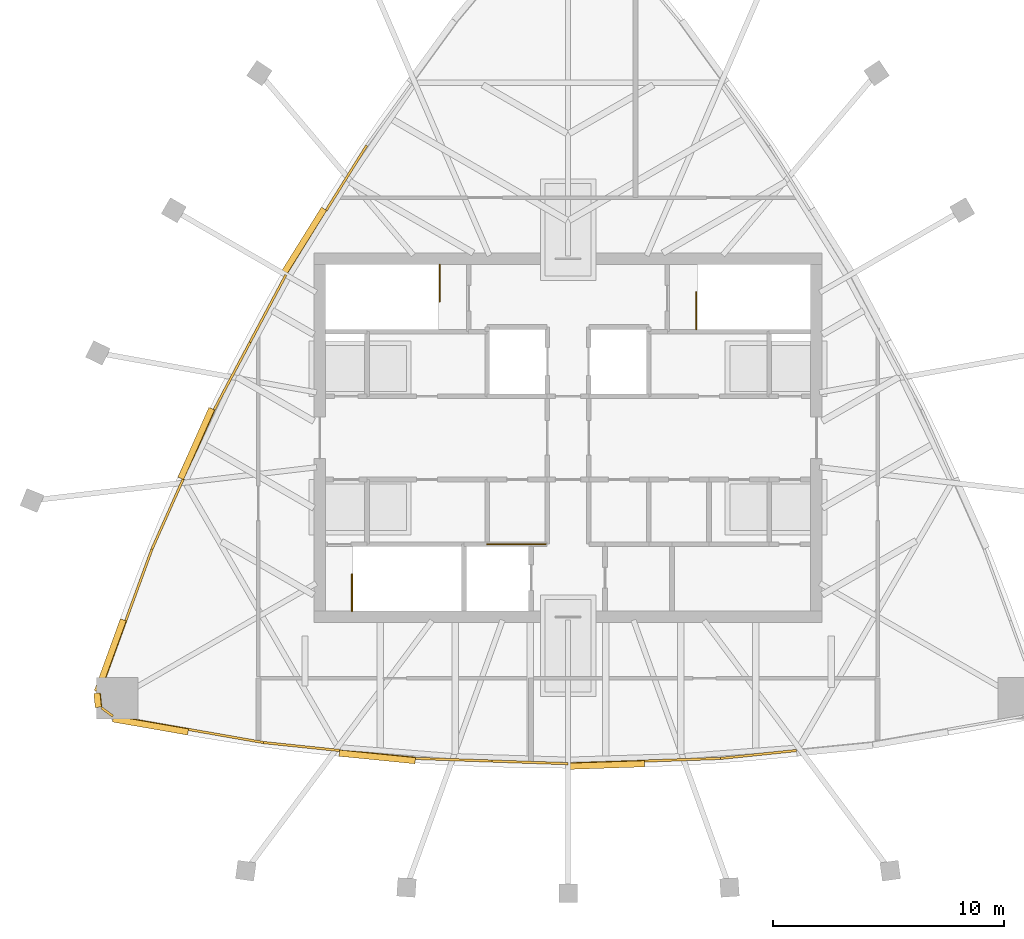
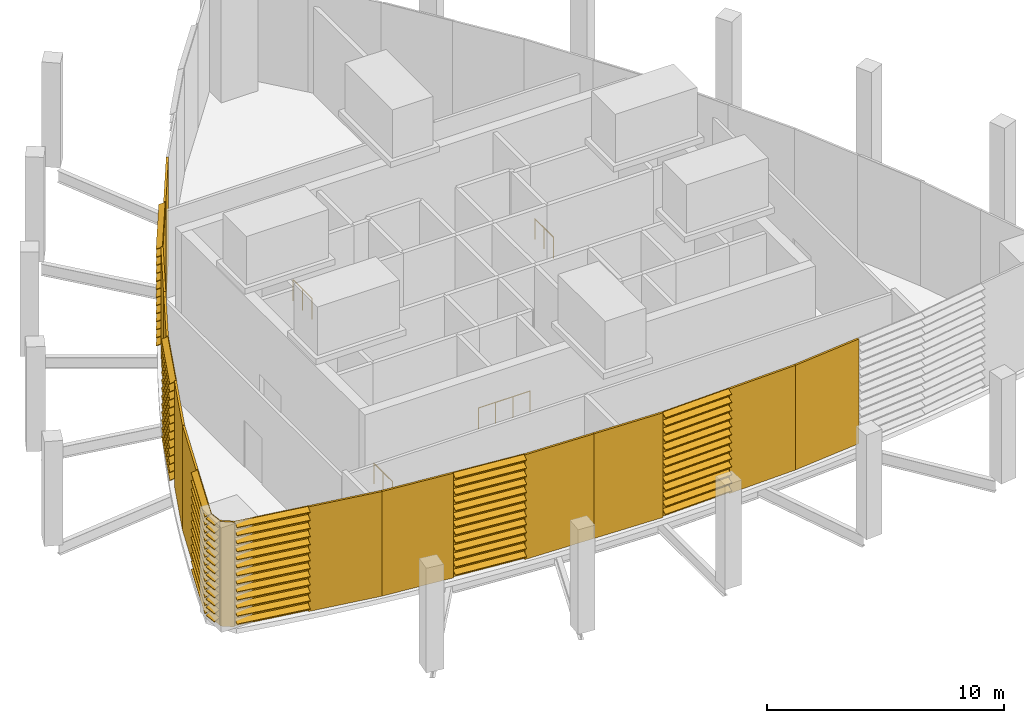
# One storey, part 5 of 8: 12 coverings, 7 shading devices, 4 railings.
"""IFC4 building model written with IfcOpenShell, lengths in metres."""

from ifc_helpers import new_model, si_unit, direction, frame, origin, origin_2d, place, context, subcontext, project, spatial, polyline, circle, outline, extrude, material, layer, layer_set, type_object, element, save


model = new_model("IFC4")

# Units and contexts
model_context = context("Model", 3, precision=1e-05, world=origin(), true_north=direction((0.0, 1.0)))
body_context = subcontext(model_context, "Body", "Model", "MODEL_VIEW")
ifc_project = project(units=[si_unit("LENGTHUNIT", "METRE"), si_unit("AREAUNIT", "SQUARE_METRE"), si_unit("VOLUMEUNIT", "CUBIC_METRE"), si_unit("PLANEANGLEUNIT", "RADIAN"), si_unit("MASSUNIT", "GRAM", prefix="KILO")], contexts=[model_context])

# Site, building, storey
site_placement = place(None, origin())
site = spatial("IfcSite", under=ifc_project, at=site_placement, CompositionType="ELEMENT")
building_placement = place(site_placement, origin())
building = spatial("IfcBuilding", under=site, at=building_placement, Name="Sierra Prisma Convention Tower", CompositionType="ELEMENT")
storey_placement = place(building_placement, frame((0.0, 0.0, 355.60009765625)))
storey = spatial("IfcBuildingStorey", under=building, at=storey_placement, Name="L79", CompositionType="ELEMENT", Elevation=355.60009765625)

# Coverings
ifc_material_1 = material(Name="Aluminium composite bronze anodised", Category="aluminium")
ifc_layer = layer(ifc_material_1, 0.10009765625)
ifc_layer_set = layer_set([ifc_layer], Name="Bronze cladding panel")
covering_type = type_object("IfcCoveringType", Name="Bronze cladding panel", PredefinedType="CLADDING", material=ifc_layer_set)
covering_1_placement = place(storey_placement, origin())
element("IfcCovering", 1, at=covering_1_placement, inside=storey, type_object=covering_type, Name="Crown cladding L79.2", PredefinedType="CLADDING", context=body_context, shape_type="SweptSolid", body=[
    extrude(outline(polyline([(-16.41650390625, -12.568603515625), (-13.164794921875, -13.13720703125), (-13.18212890625, -13.235595703125), (-16.433837890625, -12.667236328125), (-16.41650390625, -12.568603515625)])), origin(), (0.0, 0.0, 1.0), 5.39990234375),
])
covering_2_placement = place(storey_placement, origin())
element("IfcCovering", 2, at=covering_2_placement, inside=storey, type_object=covering_type, Name="Crown cladding L79.3", PredefinedType="CLADDING", context=body_context, shape_type="SweptSolid", body=[
    extrude(outline(polyline([(-13.164794921875, -13.13720703125), (-9.881591796875, -13.479248046875), (-9.891845703125, -13.578857421875), (-13.17529296875, -13.236572265625), (-13.164794921875, -13.13720703125)])), origin(), (0.0, 0.0, 1.0), 5.39990234375),
])
covering_3_placement = place(storey_placement, origin())
element("IfcCovering", 3, at=covering_3_placement, inside=storey, type_object=covering_type, Name="Crown cladding L79.5", PredefinedType="CLADDING", context=body_context, shape_type="SweptSolid", body=[
    extrude(outline(polyline([(-6.59814453125, -13.821533203125), (-3.299072265625, -13.935791015625), (-3.302490234375, -14.03564453125), (-6.601806640625, -13.92138671875), (-6.59814453125, -13.821533203125)])), origin(), (0.0, 0.0, 1.0), 5.39990234375),
])
covering_4_placement = place(storey_placement, origin())
element("IfcCovering", 4, at=covering_4_placement, inside=storey, type_object=covering_type, Name="Crown cladding L79.6", PredefinedType="CLADDING", context=body_context, shape_type="SweptSolid", body=[
    extrude(outline(polyline([(-3.299072265625, -13.935791015625), (0.0, -14.050048828125), (-0.00341796875, -14.14990234375), (-3.302490234375, -14.03564453125), (-3.299072265625, -13.935791015625)])), origin(), (0.0, 0.0, 1.0), 5.39990234375),
])
covering_5_placement = place(storey_placement, origin())
element("IfcCovering", 5, at=covering_5_placement, inside=storey, type_object=covering_type, Name="Crown cladding L79.8", PredefinedType="CLADDING", context=body_context, shape_type="SweptSolid", body=[
    extrude(outline(polyline([(3.299072265625, -13.935791015625), (6.59814453125, -13.821533203125), (6.601806640625, -13.92138671875), (3.302490234375, -14.03564453125), (3.299072265625, -13.935791015625)])), origin(), (0.0, 0.0, 1.0), 5.39990234375),
])
covering_6_placement = place(storey_placement, origin())
element("IfcCovering", 6, at=covering_6_placement, inside=storey, type_object=covering_type, Name="Crown cladding L79.9", PredefinedType="CLADDING", context=body_context, shape_type="SweptSolid", body=[
    extrude(outline(polyline([(6.59814453125, -13.821533203125), (9.881591796875, -13.479248046875), (9.891845703125, -13.578857421875), (6.608642578125, -13.9208984375), (6.59814453125, -13.821533203125)])), origin(), (0.0, 0.0, 1.0), 5.39990234375),
])
covering_7_placement = place(storey_placement, origin())
element("IfcCovering", 7, at=covering_7_placement, inside=storey, type_object=covering_type, Name="Crown cladding L79.33", PredefinedType="CLADDING", context=body_context, shape_type="SweptSolid", body=[
    extrude(outline(polyline([(-8.670654296875, 12.625), (-10.419189453125, 9.824951171875), (-10.50390625, 9.8779296875), (-8.75537109375, 12.677978515625), (-8.670654296875, 12.625)])), origin(), (0.0, 0.0, 1.0), 5.39990234375),
])
covering_8_placement = place(storey_placement, origin())
element("IfcCovering", 8, at=covering_8_placement, inside=storey, type_object=covering_type, Name="Crown cladding L79.35", PredefinedType="CLADDING", context=body_context, shape_type="SweptSolid", body=[
    extrude(outline(polyline([(-12.167724609375, 7.02490234375), (-13.71826171875, 4.11083984375), (-13.806640625, 4.15771484375), (-12.255859375, 7.072021484375), (-12.167724609375, 7.02490234375)])), origin(), (0.0, 0.0, 1.0), 5.39990234375),
])
covering_9_placement = place(storey_placement, origin())
element("IfcCovering", 9, at=covering_9_placement, inside=storey, type_object=covering_type, Name="Crown cladding L79.36", PredefinedType="CLADDING", context=body_context, shape_type="SweptSolid", body=[
    extrude(outline(polyline([(-13.71826171875, 4.11083984375), (-15.268798828125, 1.196533203125), (-15.357177734375, 1.243408203125), (-13.806640625, 4.15771484375), (-13.71826171875, 4.11083984375)])), origin(), (0.0, 0.0, 1.0), 5.39990234375),
])
covering_10_placement = place(storey_placement, origin())
element("IfcCovering", 10, at=covering_10_placement, inside=storey, type_object=covering_type, Name="Crown cladding L79.38", PredefinedType="CLADDING", context=body_context, shape_type="SweptSolid", body=[
    extrude(outline(polyline([(-16.6142578125, -1.818115234375), (-17.95947265625, -4.83251953125), (-18.05078125, -4.791748046875), (-16.70556640625, -1.77734375), (-16.6142578125, -1.818115234375)])), origin(), (0.0, 0.0, 1.0), 5.39990234375),
])
covering_11_placement = place(storey_placement, origin())
element("IfcCovering", 11, at=covering_11_placement, inside=storey, type_object=covering_type, Name="Crown cladding L79.39", PredefinedType="CLADDING", context=body_context, shape_type="SweptSolid", body=[
    extrude(outline(polyline([(-17.95947265625, -4.83251953125), (-19.093017578125, -7.932861328125), (-19.18701171875, -7.8984375), (-18.053466796875, -4.798095703125), (-17.95947265625, -4.83251953125)])), origin(), (0.0, 0.0, 1.0), 5.39990234375),
])
covering_12_placement = place(storey_placement, origin())
element("IfcCovering", 12, at=covering_12_placement, inside=storey, type_object=covering_type, Name="Crown cladding L79.42", PredefinedType="CLADDING", context=body_context, shape_type="SweptSolid", body=[
    extrude(outline(polyline([(-20.163330078125, -11.641357421875), (-19.66845703125, -12.000244140625), (-19.72705078125, -12.0810546875), (-20.221923828125, -11.72216796875), (-20.163330078125, -11.641357421875)])), origin(), (0.0, 0.0, 1.0), 5.39990234375),
])

# Railing
ifc_material_2 = material(Name="Bronze anodised aluminium", Category="aluminium")
railing_type_1 = type_object("IfcRailingType", Name="Facade guard 1100", PredefinedType="GUARDRAIL", material=ifc_material_2)
railing_1_placement = place(storey_placement, frame((-3.5, -4.60009765625, 0.0)))
element("IfcRailing", 13, at=railing_1_placement, inside=storey, type_object=railing_type_1, Name="Lift opening guard", PredefinedType="GUARDRAIL", context=body_context, shape_type="SweptSolid", body=[
    extrude(circle(Radius=0.02392578125, at=origin_2d()), frame((0.0, 0.0, 1.076171875), z_axis=(1.0, 0.0, 0.0), x_axis=(0.0, 1.0, 0.0)), (0.0, 0.0, 1.0), 2.530029296875),
    extrude(circle(Radius=0.02099609375, at=origin_2d()), origin(), (0.0, 0.0, 1.0), 1.052001953125),
    extrude(circle(Radius=0.02099609375, at=origin_2d()), frame((0.84326171875, 0.0, 0.0)), (0.0, 0.0, 1.0), 1.052001953125),
    extrude(circle(Radius=0.02099609375, at=origin_2d()), frame((1.686767578125, 0.0, 0.0)), (0.0, 0.0, 1.0), 1.052001953125),
    extrude(circle(Radius=0.02099609375, at=origin_2d()), frame((2.530029296875, 0.0, 0.0)), (0.0, 0.0, 1.0), 1.052001953125),
])

# Shading devices
ifc_material_3 = material(Name="Aluminium 6063-T6 bronze anodised", Category="aluminium")
shading_device_type = type_object("IfcShadingDeviceType", Name="Louvre bay bronze", PredefinedType="USERDEFINED", material=ifc_material_3)
shading_device_1_placement = place(storey_placement, frame((-19.66845703125, -12.000244140625, 0.0), z_axis=(-0.985211350367, 0.17134350034, 0.0), x_axis=(0.0, 0.0, 1.0)))
element("IfcShadingDevice", 14, at=shading_device_1_placement, inside=storey, type_object=shading_device_type, Name="Crown louvre L79.1", ObjectType="LOUVRE", PredefinedType="USERDEFINED", context=body_context, shape_type="SweptSolid", body=[
    extrude(outline(polyline([(0.0, 0.0), (5.39990234375, 0.0), (5.39990234375, -0.029982613989624537), (5.3798828125, -0.029982613989624537), (5.260009765625, -0.29986797180550806), (5.22998046875, -0.29986797180550806), (5.349853515625, -0.029982613989624537), (4.984619140625, -0.029982613989624537), (4.964599609375, -0.029982613989624537), (4.844482421875, -0.29986797180550806), (4.814453125, -0.29986797180550806), (4.9345703125, -0.029982613989624537), (4.569091796875, -0.029982613989624537), (4.549072265625, -0.029982613989624537), (4.42919921875, -0.29986797180550806), (4.399169921875, -0.29986797180550806), (4.51904296875, -0.029982613989624537), (4.15380859375, -0.029982613989624537), (4.1337890625, -0.029982613989624537), (4.013671875, -0.29986797180550806), (3.983642578125, -0.29986797180550806), (4.103759765625, -0.029982613989624537), (3.73828125, -0.029982613989624537), (3.71826171875, -0.029982613989624537), (3.598388671875, -0.29986797180550806), (3.568359375, -0.29986797180550806), (3.6884765625, -0.029982613989624537), (3.322998046875, -0.029982613989624537), (3.302978515625, -0.029982613989624537), (3.182861328125, -0.29986797180550806), (3.153076171875, -0.29986797180550806), (3.27294921875, -0.029982613989624537), (2.90771484375, -0.029982613989624537), (2.8876953125, -0.029982613989624537), (2.767578125, -0.29986797180550806), (2.737548828125, -0.29986797180550806), (2.857666015625, -0.029982613989624537), (2.4921875, -0.029982613989624537), (2.47216796875, -0.029982613989624537), (2.352294921875, -0.29986797180550806), (2.322265625, -0.29986797180550806), (2.442138671875, -0.029982613989624537), (2.076904296875, -0.029982613989624537), (2.056884765625, -0.029982613989624537), (1.936767578125, -0.29986797180550806), (1.90673828125, -0.29986797180550806), (2.02685546875, -0.029982613989624537), (1.661376953125, -0.029982613989624537), (1.641357421875, -0.029982613989624537), (1.521484375, -0.29986797180550806), (1.491455078125, -0.29986797180550806), (1.611328125, -0.029982613989624537), (1.24609375, -0.029982613989624537), (1.22607421875, -0.029982613989624537), (1.10595703125, -0.29986797180550806), (1.076171875, -0.29986797180550806), (1.196044921875, -0.029982613989624537), (0.83056640625, -0.029982613989624537), (0.810791015625, -0.029982613989624537), (0.690673828125, -0.29986797180550806), (0.66064453125, -0.29986797180550806), (0.78076171875, -0.029982613989624537), (0.415283203125, -0.029982613989624537), (0.395263671875, -0.029982613989624537), (0.275390625, -0.29986797180550806), (0.245361328125, -0.29986797180550806), (0.365234375, -0.029982613989624537), (0.0, -0.029982613989624537), (0.0, 0.0)])), origin(), (0.0, 0.0, -1.0), 3.301025390625),
])
shading_device_2_placement = place(storey_placement, frame((-9.881591796875, -13.479248046875, 0.0), z_axis=(-0.99500386051, 0.09983645411, 0.0), x_axis=(0.0, 0.0, 1.0)))
element("IfcShadingDevice", 15, at=shading_device_2_placement, inside=storey, type_object=shading_device_type, Name="Crown louvre L79.4", ObjectType="LOUVRE", PredefinedType="USERDEFINED", context=body_context, shape_type="SweptSolid", body=[
    extrude(outline(polyline([(0.0, 0.0), (5.39990234375, 0.0), (5.39990234375, -0.03017175593069044), (5.3798828125, -0.03017175593069044), (5.260009765625, -0.299944811331974), (5.22998046875, -0.299944811331974), (5.349853515625, -0.03017175593069044), (4.984619140625, -0.03017175593069044), (4.964599609375, -0.03017175593069044), (4.844482421875, -0.299944811331974), (4.814453125, -0.299944811331974), (4.9345703125, -0.03017175593069044), (4.569091796875, -0.03017175593069044), (4.549072265625, -0.03017175593069044), (4.42919921875, -0.299944811331974), (4.399169921875, -0.299944811331974), (4.51904296875, -0.03017175593069044), (4.15380859375, -0.03017175593069044), (4.1337890625, -0.03017175593069044), (4.013671875, -0.299944811331974), (3.983642578125, -0.299944811331974), (4.103759765625, -0.03017175593069044), (3.73828125, -0.03017175593069044), (3.71826171875, -0.03017175593069044), (3.598388671875, -0.299944811331974), (3.568359375, -0.299944811331974), (3.6884765625, -0.03017175593069044), (3.322998046875, -0.03017175593069044), (3.302978515625, -0.03017175593069044), (3.182861328125, -0.299944811331974), (3.153076171875, -0.299944811331974), (3.27294921875, -0.03017175593069044), (2.90771484375, -0.03017175593069044), (2.8876953125, -0.03017175593069044), (2.767578125, -0.299944811331974), (2.737548828125, -0.299944811331974), (2.857666015625, -0.03017175593069044), (2.4921875, -0.03017175593069044), (2.47216796875, -0.03017175593069044), (2.352294921875, -0.299944811331974), (2.322265625, -0.299944811331974), (2.442138671875, -0.03017175593069044), (2.076904296875, -0.03017175593069044), (2.056884765625, -0.03017175593069044), (1.936767578125, -0.299944811331974), (1.90673828125, -0.299944811331974), (2.02685546875, -0.03017175593069044), (1.661376953125, -0.03017175593069044), (1.641357421875, -0.03017175593069044), (1.521484375, -0.299944811331974), (1.491455078125, -0.299944811331974), (1.611328125, -0.03017175593069044), (1.24609375, -0.03017175593069044), (1.22607421875, -0.03017175593069044), (1.10595703125, -0.299944811331974), (1.076171875, -0.299944811331974), (1.196044921875, -0.03017175593069044), (0.83056640625, -0.03017175593069044), (0.810791015625, -0.03017175593069044), (0.690673828125, -0.299944811331974), (0.66064453125, -0.299944811331974), (0.78076171875, -0.03017175593069044), (0.415283203125, -0.03017175593069044), (0.395263671875, -0.03017175593069044), (0.275390625, -0.299944811331974), (0.245361328125, -0.299944811331974), (0.365234375, -0.03017175593069044), (0.0, -0.03017175593069044), (0.0, 0.0)])), origin(), (0.0, 0.0, -1.0), 3.301025390625),
])
shading_device_3_placement = place(storey_placement, frame((0.0, -14.050048828125, 0.0), z_axis=(-0.999435599252, -0.033592900266, 0.0), x_axis=(0.0, 0.0, 1.0)))
element("IfcShadingDevice", 16, at=shading_device_3_placement, inside=storey, type_object=shading_device_type, Name="Crown louvre L79.7", ObjectType="LOUVRE", PredefinedType="USERDEFINED", context=body_context, shape_type="SweptSolid", body=[
    extrude(outline(polyline([(0.0, 0.0), (5.39990234375, 0.0), (5.39990234375, -0.03004515388404054), (5.3798828125, -0.03004515388404054), (5.260009765625, -0.2999881373517081), (5.22998046875, -0.2999881373517081), (5.349853515625, -0.03004515388404054), (4.984619140625, -0.03004515388404054), (4.964599609375, -0.03004515388404054), (4.844482421875, -0.2999881373517081), (4.814453125, -0.2999881373517081), (4.9345703125, -0.03004515388404054), (4.569091796875, -0.03004515388404054), (4.549072265625, -0.03004515388404054), (4.42919921875, -0.2999881373517081), (4.399169921875, -0.2999881373517081), (4.51904296875, -0.03004515388404054), (4.15380859375, -0.03004515388404054), (4.1337890625, -0.03004515388404054), (4.013671875, -0.2999881373517081), (3.983642578125, -0.2999881373517081), (4.103759765625, -0.03004515388404054), (3.73828125, -0.03004515388404054), (3.71826171875, -0.03004515388404054), (3.598388671875, -0.2999881373517081), (3.568359375, -0.2999881373517081), (3.6884765625, -0.03004515388404054), (3.322998046875, -0.03004515388404054), (3.302978515625, -0.03004515388404054), (3.182861328125, -0.2999881373517081), (3.153076171875, -0.2999881373517081), (3.27294921875, -0.03004515388404054), (2.90771484375, -0.03004515388404054), (2.8876953125, -0.03004515388404054), (2.767578125, -0.2999881373517081), (2.737548828125, -0.2999881373517081), (2.857666015625, -0.03004515388404054), (2.4921875, -0.03004515388404054), (2.47216796875, -0.03004515388404054), (2.352294921875, -0.2999881373517081), (2.322265625, -0.2999881373517081), (2.442138671875, -0.03004515388404054), (2.076904296875, -0.03004515388404054), (2.056884765625, -0.03004515388404054), (1.936767578125, -0.2999881373517081), (1.90673828125, -0.2999881373517081), (2.02685546875, -0.03004515388404054), (1.661376953125, -0.03004515388404054), (1.641357421875, -0.03004515388404054), (1.521484375, -0.2999881373517081), (1.491455078125, -0.2999881373517081), (1.611328125, -0.03004515388404054), (1.24609375, -0.03004515388404054), (1.22607421875, -0.03004515388404054), (1.10595703125, -0.2999881373517081), (1.076171875, -0.2999881373517081), (1.196044921875, -0.03004515388404054), (0.83056640625, -0.03004515388404054), (0.810791015625, -0.03004515388404054), (0.690673828125, -0.2999881373517081), (0.66064453125, -0.2999881373517081), (0.78076171875, -0.03004515388404054), (0.415283203125, -0.03004515388404054), (0.395263671875, -0.03004515388404054), (0.275390625, -0.2999881373517081), (0.245361328125, -0.2999881373517081), (0.365234375, -0.03004515388404054), (0.0, -0.03004515388404054), (0.0, 0.0)])), origin(), (0.0, 0.0, -1.0), 3.301025390625),
])
shading_device_4_placement = place(storey_placement, frame((-10.419189453125, 9.824951171875, 0.0), z_axis=(0.529934825169, 0.848038372406, 0.0), x_axis=(0.0, 0.0, 1.0)))
element("IfcShadingDevice", 17, at=shading_device_4_placement, inside=storey, type_object=shading_device_type, Name="Crown louvre L79.34", ObjectType="LOUVRE", PredefinedType="USERDEFINED", context=body_context, shape_type="SweptSolid", body=[
    extrude(outline(polyline([(0.0, 0.0), (5.39990234375, 0.0), (5.39990234375, -0.029941834562064), (5.3798828125, -0.029941834562064), (5.260009765625, -0.29996180547659246), (5.22998046875, -0.29996180547659246), (5.349853515625, -0.029941834562064), (4.984619140625, -0.029941834562064), (4.964599609375, -0.029941834562064), (4.844482421875, -0.29996180547659246), (4.814453125, -0.29996180547659246), (4.9345703125, -0.029941834562064), (4.569091796875, -0.029941834562064), (4.549072265625, -0.029941834562064), (4.42919921875, -0.29996180547659246), (4.399169921875, -0.29996180547659246), (4.51904296875, -0.029941834562064), (4.15380859375, -0.029941834562064), (4.1337890625, -0.029941834562064), (4.013671875, -0.29996180547659246), (3.983642578125, -0.29996180547659246), (4.103759765625, -0.029941834562064), (3.73828125, -0.029941834562064), (3.71826171875, -0.029941834562064), (3.598388671875, -0.29996180547659246), (3.568359375, -0.29996180547659246), (3.6884765625, -0.029941834562064), (3.322998046875, -0.029941834562064), (3.302978515625, -0.029941834562064), (3.182861328125, -0.29996180547659246), (3.153076171875, -0.29996180547659246), (3.27294921875, -0.029941834562064), (2.90771484375, -0.029941834562064), (2.8876953125, -0.029941834562064), (2.767578125, -0.29996180547659246), (2.737548828125, -0.29996180547659246), (2.857666015625, -0.029941834562064), (2.4921875, -0.029941834562064), (2.47216796875, -0.029941834562064), (2.352294921875, -0.29996180547659246), (2.322265625, -0.29996180547659246), (2.442138671875, -0.029941834562064), (2.076904296875, -0.029941834562064), (2.056884765625, -0.029941834562064), (1.936767578125, -0.29996180547659246), (1.90673828125, -0.29996180547659246), (2.02685546875, -0.029941834562064), (1.661376953125, -0.029941834562064), (1.641357421875, -0.029941834562064), (1.521484375, -0.29996180547659246), (1.491455078125, -0.29996180547659246), (1.611328125, -0.029941834562064), (1.24609375, -0.029941834562064), (1.22607421875, -0.029941834562064), (1.10595703125, -0.29996180547659246), (1.076171875, -0.29996180547659246), (1.196044921875, -0.029941834562064), (0.83056640625, -0.029941834562064), (0.810791015625, -0.029941834562064), (0.690673828125, -0.29996180547659246), (0.66064453125, -0.29996180547659246), (0.78076171875, -0.029941834562064), (0.415283203125, -0.029941834562064), (0.395263671875, -0.029941834562064), (0.275390625, -0.29996180547659246), (0.245361328125, -0.29996180547659246), (0.365234375, -0.029941834562064), (0.0, -0.029941834562064), (0.0, 0.0)])), origin(), (0.0, 0.0, -1.0), 3.301025390625),
])
shading_device_5_placement = place(storey_placement, frame((-15.268798828125, 1.196533203125, 0.0), z_axis=(0.405852194292, 0.913938726824, 0.0), x_axis=(0.0, 0.0, 1.0)))
element("IfcShadingDevice", 18, at=shading_device_5_placement, inside=storey, type_object=shading_device_type, Name="Crown louvre L79.37", ObjectType="LOUVRE", PredefinedType="USERDEFINED", context=body_context, shape_type="SweptSolid", body=[
    extrude(outline(polyline([(0.0, 0.0), (5.39990234375, 0.0), (5.39990234375, -0.03016789205217115), (5.3798828125, -0.03016789205217115), (5.260009765625, -0.3002160985262347), (5.22998046875, -0.3002160985262347), (5.349853515625, -0.03016789205217115), (4.984619140625, -0.03016789205217115), (4.964599609375, -0.03016789205217115), (4.844482421875, -0.3002160985262347), (4.814453125, -0.3002160985262347), (4.9345703125, -0.03016789205217115), (4.569091796875, -0.03016789205217115), (4.549072265625, -0.03016789205217115), (4.42919921875, -0.3002160985262347), (4.399169921875, -0.3002160985262347), (4.51904296875, -0.03016789205217115), (4.15380859375, -0.03016789205217115), (4.1337890625, -0.03016789205217115), (4.013671875, -0.3002160985262347), (3.983642578125, -0.3002160985262347), (4.103759765625, -0.03016789205217115), (3.73828125, -0.03016789205217115), (3.71826171875, -0.03016789205217115), (3.598388671875, -0.3002160985262347), (3.568359375, -0.3002160985262347), (3.6884765625, -0.03016789205217115), (3.322998046875, -0.03016789205217115), (3.302978515625, -0.03016789205217115), (3.182861328125, -0.3002160985262347), (3.153076171875, -0.3002160985262347), (3.27294921875, -0.03016789205217115), (2.90771484375, -0.03016789205217115), (2.8876953125, -0.03016789205217115), (2.767578125, -0.3002160985262347), (2.737548828125, -0.3002160985262347), (2.857666015625, -0.03016789205217115), (2.4921875, -0.03016789205217115), (2.47216796875, -0.03016789205217115), (2.352294921875, -0.3002160985262347), (2.322265625, -0.3002160985262347), (2.442138671875, -0.03016789205217115), (2.076904296875, -0.03016789205217115), (2.056884765625, -0.03016789205217115), (1.936767578125, -0.3002160985262347), (1.90673828125, -0.3002160985262347), (2.02685546875, -0.03016789205217115), (1.661376953125, -0.03016789205217115), (1.641357421875, -0.03016789205217115), (1.521484375, -0.3002160985262347), (1.491455078125, -0.3002160985262347), (1.611328125, -0.03016789205217115), (1.24609375, -0.03016789205217115), (1.22607421875, -0.03016789205217115), (1.10595703125, -0.3002160985262347), (1.076171875, -0.3002160985262347), (1.196044921875, -0.03016789205217115), (0.83056640625, -0.03016789205217115), (0.810791015625, -0.03016789205217115), (0.690673828125, -0.3002160985262347), (0.66064453125, -0.3002160985262347), (0.78076171875, -0.03016789205217115), (0.415283203125, -0.03016789205217115), (0.395263671875, -0.03016789205217115), (0.275390625, -0.3002160985262347), (0.245361328125, -0.3002160985262347), (0.365234375, -0.03016789205217115), (0.0, -0.03016789205217115), (0.0, 0.0)])), origin(), (0.0, 0.0, -1.0), 3.301025390625),
])
shading_device_6_placement = place(storey_placement, frame((-19.093017578125, -7.932861328125, 0.0), z_axis=(0.34175188812, 0.939790214339, 0.0), x_axis=(0.0, 0.0, 1.0)))
element("IfcShadingDevice", 19, at=shading_device_6_placement, inside=storey, type_object=shading_device_type, Name="Crown louvre L79.40", ObjectType="LOUVRE", PredefinedType="USERDEFINED", context=body_context, shape_type="SweptSolid", body=[
    extrude(outline(polyline([(0.0, 0.0), (5.39990234375, 0.0), (5.39990234375, -0.030119444376051456), (5.3798828125, -0.030119444376051456), (5.260009765625, -0.2999846689778504), (5.22998046875, -0.2999846689778504), (5.349853515625, -0.030119444376051456), (4.984619140625, -0.030119444376051456), (4.964599609375, -0.030119444376051456), (4.844482421875, -0.2999846689778504), (4.814453125, -0.2999846689778504), (4.9345703125, -0.030119444376051456), (4.569091796875, -0.030119444376051456), (4.549072265625, -0.030119444376051456), (4.42919921875, -0.2999846689778504), (4.399169921875, -0.2999846689778504), (4.51904296875, -0.030119444376051456), (4.15380859375, -0.030119444376051456), (4.1337890625, -0.030119444376051456), (4.013671875, -0.2999846689778504), (3.983642578125, -0.2999846689778504), (4.103759765625, -0.030119444376051456), (3.73828125, -0.030119444376051456), (3.71826171875, -0.030119444376051456), (3.598388671875, -0.2999846689778504), (3.568359375, -0.2999846689778504), (3.6884765625, -0.030119444376051456), (3.322998046875, -0.030119444376051456), (3.302978515625, -0.030119444376051456), (3.182861328125, -0.2999846689778504), (3.153076171875, -0.2999846689778504), (3.27294921875, -0.030119444376051456), (2.90771484375, -0.030119444376051456), (2.8876953125, -0.030119444376051456), (2.767578125, -0.2999846689778504), (2.737548828125, -0.2999846689778504), (2.857666015625, -0.030119444376051456), (2.4921875, -0.030119444376051456), (2.47216796875, -0.030119444376051456), (2.352294921875, -0.2999846689778504), (2.322265625, -0.2999846689778504), (2.442138671875, -0.030119444376051456), (2.076904296875, -0.030119444376051456), (2.056884765625, -0.030119444376051456), (1.936767578125, -0.2999846689778504), (1.90673828125, -0.2999846689778504), (2.02685546875, -0.030119444376051456), (1.661376953125, -0.030119444376051456), (1.641357421875, -0.030119444376051456), (1.521484375, -0.2999846689778504), (1.491455078125, -0.2999846689778504), (1.611328125, -0.030119444376051456), (1.24609375, -0.030119444376051456), (1.22607421875, -0.030119444376051456), (1.10595703125, -0.2999846689778504), (1.076171875, -0.2999846689778504), (1.196044921875, -0.030119444376051456), (0.83056640625, -0.030119444376051456), (0.810791015625, -0.030119444376051456), (0.690673828125, -0.2999846689778504), (0.66064453125, -0.2999846689778504), (0.78076171875, -0.030119444376051456), (0.415283203125, -0.030119444376051456), (0.395263671875, -0.030119444376051456), (0.275390625, -0.2999846689778504), (0.245361328125, -0.2999846689778504), (0.365234375, -0.030119444376051456), (0.0, -0.030119444376051456), (0.0, 0.0)])), origin(), (0.0, 0.0, -1.0), 3.301025390625),
])
shading_device_7_placement = place(storey_placement, frame((-20.2265625, -11.033203125, 0.0), z_axis=(-0.105177279712, 0.994453488019, 0.0), x_axis=(0.0, 0.0, 1.0)))
element("IfcShadingDevice", 20, at=shading_device_7_placement, inside=storey, type_object=shading_device_type, Name="Crown louvre L79.41", ObjectType="LOUVRE", PredefinedType="USERDEFINED", context=body_context, shape_type="SweptSolid", body=[
    extrude(outline(polyline([(0.0, 0.0), (5.39990234375, 0.0), (5.39990234375, -0.02995376713245281), (5.3798828125, -0.02995376713245281), (5.260009765625, -0.29997188822311505), (5.22998046875, -0.29997188822311505), (5.349853515625, -0.02995376713245281), (4.984619140625, -0.02995376713245281), (4.964599609375, -0.02995376713245281), (4.844482421875, -0.29997188822311505), (4.814453125, -0.29997188822311505), (4.9345703125, -0.02995376713245281), (4.569091796875, -0.02995376713245281), (4.549072265625, -0.02995376713245281), (4.42919921875, -0.29997188822311505), (4.399169921875, -0.29997188822311505), (4.51904296875, -0.02995376713245281), (4.15380859375, -0.02995376713245281), (4.1337890625, -0.02995376713245281), (4.013671875, -0.29997188822311505), (3.983642578125, -0.29997188822311505), (4.103759765625, -0.02995376713245281), (3.73828125, -0.02995376713245281), (3.71826171875, -0.02995376713245281), (3.598388671875, -0.29997188822311505), (3.568359375, -0.29997188822311505), (3.6884765625, -0.02995376713245281), (3.322998046875, -0.02995376713245281), (3.302978515625, -0.02995376713245281), (3.182861328125, -0.29997188822311505), (3.153076171875, -0.29997188822311505), (3.27294921875, -0.02995376713245281), (2.90771484375, -0.02995376713245281), (2.8876953125, -0.02995376713245281), (2.767578125, -0.29997188822311505), (2.737548828125, -0.29997188822311505), (2.857666015625, -0.02995376713245281), (2.4921875, -0.02995376713245281), (2.47216796875, -0.02995376713245281), (2.352294921875, -0.29997188822311505), (2.322265625, -0.29997188822311505), (2.442138671875, -0.02995376713245281), (2.076904296875, -0.02995376713245281), (2.056884765625, -0.02995376713245281), (1.936767578125, -0.29997188822311505), (1.90673828125, -0.29997188822311505), (2.02685546875, -0.02995376713245281), (1.661376953125, -0.02995376713245281), (1.641357421875, -0.02995376713245281), (1.521484375, -0.29997188822311505), (1.491455078125, -0.29997188822311505), (1.611328125, -0.02995376713245281), (1.24609375, -0.02995376713245281), (1.22607421875, -0.02995376713245281), (1.10595703125, -0.29997188822311505), (1.076171875, -0.29997188822311505), (1.196044921875, -0.02995376713245281), (0.83056640625, -0.02995376713245281), (0.810791015625, -0.02995376713245281), (0.690673828125, -0.29997188822311505), (0.66064453125, -0.29997188822311505), (0.78076171875, -0.02995376713245281), (0.415283203125, -0.02995376713245281), (0.395263671875, -0.02995376713245281), (0.275390625, -0.29997188822311505), (0.245361328125, -0.29997188822311505), (0.365234375, -0.02995376713245281), (0.0, -0.02995376713245281), (0.0, 0.0)])), origin(), (0.0, 0.0, -1.0), 0.611328125),
])

# Railings
ifc_material_4 = material(Name="Stainless steel", Category="steel")
railing_type_2 = type_object("IfcRailingType", Name="Stair guard 1100", PredefinedType="GUARDRAIL", material=ifc_material_4)
railing_2_placement = place(storey_placement, frame((-9.35009765625, -7.5, 0.0)))
element("IfcRailing", 21, at=railing_2_placement, inside=storey, type_object=railing_type_2, Name="L79 S1 top well guard 1", PredefinedType="GUARDRAIL", context=body_context, shape_type="SweptSolid", body=[
    extrude(circle(Radius=0.02392578125, at=origin_2d()), frame((0.0, 0.0, 1.076171875), z_axis=(0.0, 1.0, 0.0), x_axis=(-1.0, 0.0, 0.0)), (0.0, 0.0, 1.0), 1.60009765625),
    extrude(circle(Radius=0.02099609375, at=origin_2d()), origin(), (0.0, 0.0, 1.0), 1.052001953125),
    extrude(circle(Radius=0.02099609375, at=origin_2d()), frame((0.0, 0.800048828125, 0.0)), (0.0, 0.0, 1.0), 1.052001953125),
    extrude(circle(Radius=0.02099609375, at=origin_2d()), frame((0.0, 1.60009765625, 0.0)), (0.0, 0.0, 1.0), 1.052001953125),
])
railing_3_placement = place(storey_placement, frame((-5.550048828125, 7.5, 0.0)))
element("IfcRailing", 22, at=railing_3_placement, inside=storey, type_object=railing_type_2, Name="L79 S3 top well guard 1", PredefinedType="GUARDRAIL", context=body_context, shape_type="SweptSolid", body=[
    extrude(circle(Radius=0.02392578125, at=origin_2d()), frame((0.0, 0.0, 1.076171875), z_axis=(0.0, -1.0, 0.0), x_axis=(1.0, 0.0, 0.0)), (0.0, 0.0, 1.0), 1.60009765625),
    extrude(circle(Radius=0.02099609375, at=origin_2d()), origin(), (0.0, 0.0, 1.0), 1.052001953125),
    extrude(circle(Radius=0.02099609375, at=origin_2d()), frame((0.0, -0.800048828125, 0.0)), (0.0, 0.0, 1.0), 1.052001953125),
    extrude(circle(Radius=0.02099609375, at=origin_2d()), frame((0.0, -1.60009765625, 0.0)), (0.0, 0.0, 1.0), 1.052001953125),
])
railing_4_placement = place(storey_placement, frame((5.550048828125, 4.699951171875, 0.0)))
element("IfcRailing", 23, at=railing_4_placement, inside=storey, type_object=railing_type_2, Name="L79 S4 top well guard 1", PredefinedType="GUARDRAIL", context=body_context, shape_type="SweptSolid", body=[
    extrude(circle(Radius=0.02392578125, at=origin_2d()), frame((0.0, 0.0, 1.076171875), z_axis=(0.0, 1.0, 0.0), x_axis=(-1.0, 0.0, 0.0)), (0.0, 0.0, 1.0), 1.60009765625),
    extrude(circle(Radius=0.02099609375, at=origin_2d()), origin(), (0.0, 0.0, 1.0), 1.052001953125),
    extrude(circle(Radius=0.02099609375, at=origin_2d()), frame((0.0, 0.800048828125, 0.0)), (0.0, 0.0, 1.0), 1.052001953125),
    extrude(circle(Radius=0.02099609375, at=origin_2d()), frame((0.0, 1.60009765625, 0.0)), (0.0, 0.0, 1.0), 1.052001953125),
])

save(model, "model.ifc")
